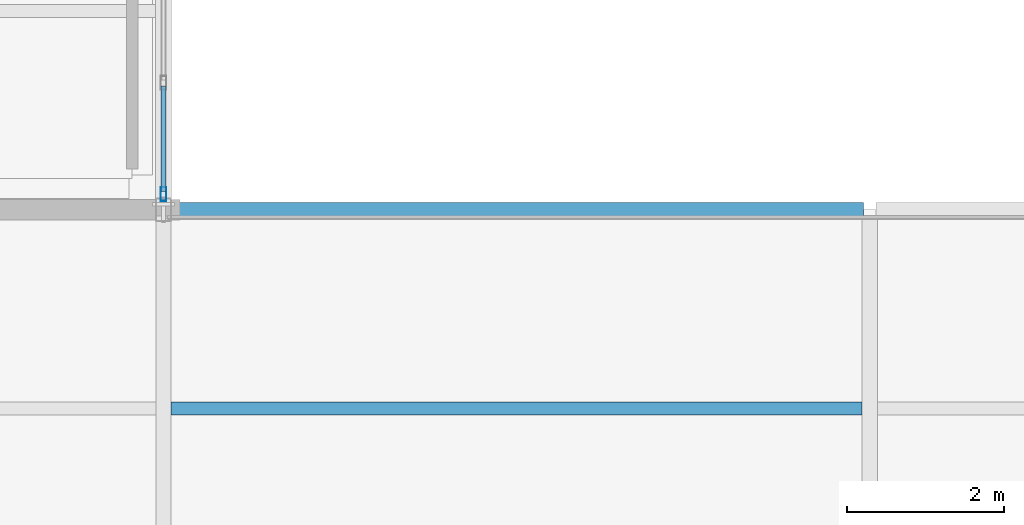
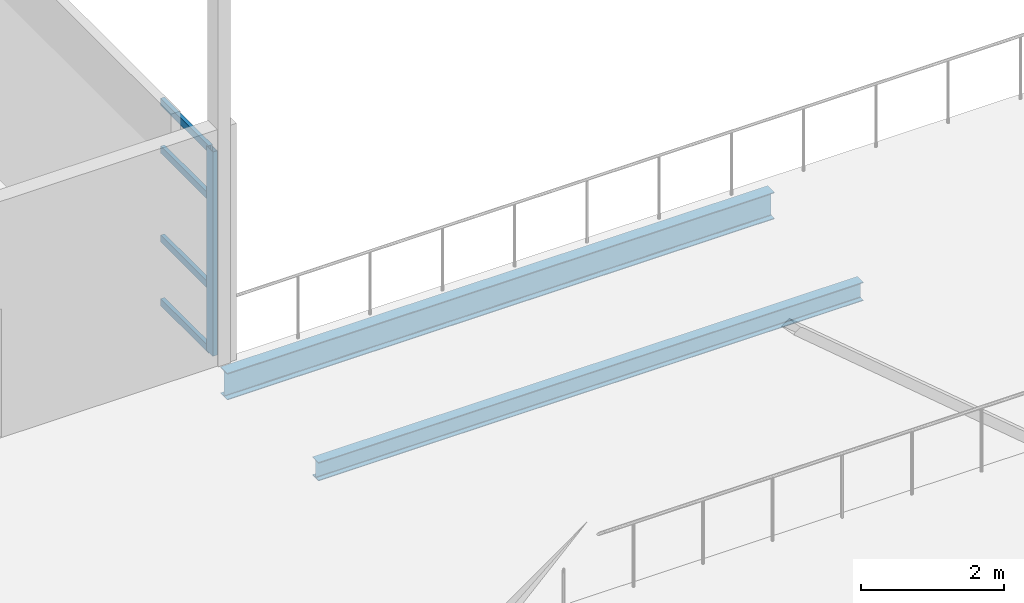
# One storey, part 60 of 166: 5 members, 2 beams, 1 element without a shape of its own.
"""IFC4 building model written with IfcOpenShell, lengths in metres."""

from ifc_helpers import new_model, si_unit, direction, frame, origin, origin_2d, place, context, subcontext, project, spatial, hollow_rectangle, i_section, extrude, material, material_profile, profile_set, type_object, element, aggregate, save


model = new_model("IFC4")

# Units and contexts
model_context = context("Model", 3, precision=1e-05, world=origin(), true_north=direction((0.0, 1.0)))
body_context = subcontext(model_context, "Body", "Model", "MODEL_VIEW")
ifc_project = project(units=[si_unit("LENGTHUNIT", "METRE"), si_unit("AREAUNIT", "SQUARE_METRE"), si_unit("VOLUMEUNIT", "CUBIC_METRE"), si_unit("PLANEANGLEUNIT", "RADIAN"), si_unit("MASSUNIT", "GRAM", prefix="KILO")], contexts=[model_context])

# Site, building, storey
site_placement = place(None, origin())
site = spatial("IfcSite", under=ifc_project, at=site_placement, CompositionType="ELEMENT")
building_placement = place(site_placement, origin())
building = spatial("IfcBuilding", under=site, at=building_placement, Name="Caisbarro Railhouse Central Library", CompositionType="ELEMENT")
storey_placement = place(building_placement, frame((0.0, 0.0, 9.360107421875)))
storey = spatial("IfcBuildingStorey", under=building, at=storey_placement, Name="L02", CompositionType="ELEMENT", Elevation=9.360107421875)

# Beams
ifc_material_1 = material(Name="Steel ASTM A572 Grade 50", Category="steel")
ifc_material_profile_1 = material_profile(ifc_material_1, i_section(OverallWidth=0.1669921875, OverallDepth=0.31689453125, WebThickness=0.007568359375, FlangeThickness=0.01318359375, FilletRadius=0.011962890625, at=origin_2d()), Name="W310X52.0")
ifc_profile_set_1 = profile_set([ifc_material_profile_1], Name="Steel ASTM A572 Grade 50")
beam_type_1 = type_object("IfcBeamType", Name="BM-J02", PredefinedType="JOIST", material=ifc_profile_set_1)
beam_1_placement = place(storey_placement, frame((72.096923828125, 27.86669921875, -0.36865234375), z_axis=(1.0, 0.0, 0.0), x_axis=(0.0, 1.0, 0.0)))
element("IfcBeam", 1, at=beam_1_placement, inside=storey, type_object=beam_type_1, Name="J02 beam L02 #1623", PredefinedType="JOIST", context=body_context, shape_type="SweptSolid", body=[
    extrude(i_section(OverallWidth=0.1669921875, OverallDepth=0.31689453125, WebThickness=0.007568359375, FlangeThickness=0.01318359375, FilletRadius=0.011962890625, at=origin_2d()), origin(), (0.0, 0.0, 1.0), 8.80615234375),
])
ifc_material_profile_2 = material_profile(ifc_material_1, i_section(OverallWidth=0.18994140625, OverallDepth=0.45703125, WebThickness=0.009033203125, FlangeThickness=0.014404296875, FilletRadius=0.01806640625, at=origin_2d()), Name="W460X74.0")
ifc_profile_set_2 = profile_set([ifc_material_profile_2], Name="Steel ASTM A572 Grade 50")
beam_type_2 = type_object("IfcBeamType", Name="BM-SP01", PredefinedType="SPANDREL", material=ifc_profile_set_2)
beam_2_placement = place(storey_placement, frame((72.080078125, 30.39990234375, -0.438720703125), z_axis=(1.0, 0.0, 0.0), x_axis=(0.0, 1.0, 0.0)))
element("IfcBeam", 2, at=beam_2_placement, inside=storey, type_object=beam_type_2, Name="SP01 beam L02 #1609", PredefinedType="SPANDREL", context=body_context, shape_type="SweptSolid", body=[
    extrude(i_section(OverallWidth=0.18994140625, OverallDepth=0.45703125, WebThickness=0.009033203125, FlangeThickness=0.014404296875, FilletRadius=0.01806640625, at=origin_2d()), origin(), (0.0, 0.0, 1.0), 8.83984375),
])

# Curtain wall, members
ifc_material_2 = material(Name="Anodised architectural aluminium", Category="aluminium")
curtain_wall_type = type_object("IfcCurtainWallType", Name="CW-CW02", PredefinedType="NOTDEFINED", material=ifc_material_2)
curtain_wall_placement = place(storey_placement, origin())
curtain_wall = element("IfcCurtainWall", 3, at=curtain_wall_placement, inside=storey, type_object=curtain_wall_type, Name="CW02 curtain wall L02 #40", PredefinedType="NOTDEFINED")
ifc_material_profile_3 = material_profile(ifc_material_2, hollow_rectangle(XDim=0.074951171875, YDim=0.179931640625, WallThickness=0.00439453125, at=origin_2d()), Name="ALU-MUL-75X180")
ifc_profile_set_3 = profile_set([ifc_material_profile_3], Name="Anodised architectural aluminium")
member_type_1 = type_object("IfcMemberType", Name="CWM-M01", PredefinedType="MULLION", material=ifc_profile_set_3)
member_1_placement = place(storey_placement, frame((72.0, 30.597412109375, 0.0), z_axis=(0.0, 0.0, 1.0), x_axis=(-1.0, 0.0, 0.0)))
member_1 = element("IfcMember", 4, at=member_1_placement, type_object=member_type_1, Name="CW02 mullion 1", PredefinedType="MULLION", context=body_context, shape_type="SweptSolid", body=[
    extrude(hollow_rectangle(XDim=0.074951171875, YDim=0.179931640625, WallThickness=0.00439453125, at=origin_2d()), origin(), (0.0, 0.0, 1.0), 3.489990234375),
])
ifc_material_profile_4 = material_profile(ifc_material_2, hollow_rectangle(XDim=0.06494140625, YDim=0.1201171875, WallThickness=0.00341796875, at=origin_2d()), Name="ALU-TRN-65X120")
ifc_profile_set_4 = profile_set([ifc_material_profile_4], Name="Anodised architectural aluminium")
member_type_2 = type_object("IfcMemberType", Name="CWT-T02", PredefinedType="USERDEFINED", material=ifc_profile_set_4)
member_2_placement = place(storey_placement, frame((72.0, 30.635009765625, 0.032470703125), z_axis=(0.0, 1.0, 0.0), x_axis=(-1.0, 0.0, 0.0)))
member_2 = element("IfcMember", 5, at=member_2_placement, type_object=member_type_2, Name="CW02 transom 1.1", ObjectType="TRANSOM", PredefinedType="USERDEFINED", context=body_context, shape_type="SweptSolid", body=[
    extrude(hollow_rectangle(XDim=0.06494140625, YDim=0.1201171875, WallThickness=0.00341796875, at=origin_2d()), origin(), (0.0, 0.0, 1.0), 1.343505859375),
])
member_3_placement = place(storey_placement, frame((72.0, 30.635009765625, 1.119873046875), z_axis=(0.0, 1.0, 0.0), x_axis=(-1.0, 0.0, 0.0)))
member_3 = element("IfcMember", 6, at=member_3_placement, type_object=member_type_2, Name="CW02 transom 1.2", ObjectType="TRANSOM", PredefinedType="USERDEFINED", context=body_context, shape_type="SweptSolid", body=[
    extrude(hollow_rectangle(XDim=0.06494140625, YDim=0.1201171875, WallThickness=0.00341796875, at=origin_2d()), origin(), (0.0, 0.0, 1.0), 1.343505859375),
])
member_4_placement = place(storey_placement, frame((72.0, 30.635009765625, 2.639892578125), z_axis=(0.0, 1.0, 0.0), x_axis=(-1.0, 0.0, 0.0)))
member_4 = element("IfcMember", 7, at=member_4_placement, type_object=member_type_2, Name="CW02 transom 1.3", ObjectType="TRANSOM", PredefinedType="USERDEFINED", context=body_context, shape_type="SweptSolid", body=[
    extrude(hollow_rectangle(XDim=0.06494140625, YDim=0.1201171875, WallThickness=0.00341796875, at=origin_2d()), origin(), (0.0, 0.0, 1.0), 1.343505859375),
])
member_5_placement = place(storey_placement, frame((72.0, 30.635009765625, 3.457275390625), z_axis=(0.0, 1.0, 0.0), x_axis=(-1.0, 0.0, 0.0)))
member_5 = element("IfcMember", 8, at=member_5_placement, type_object=member_type_2, Name="CW02 transom 1.4", ObjectType="TRANSOM", PredefinedType="USERDEFINED", context=body_context, shape_type="SweptSolid", body=[
    extrude(hollow_rectangle(XDim=0.06494140625, YDim=0.1201171875, WallThickness=0.00341796875, at=origin_2d()), origin(), (0.0, 0.0, 1.0), 1.343505859375),
])
aggregate(curtain_wall, [member_1, member_2, member_3, member_4, member_5])

save(model, "model.ifc")
